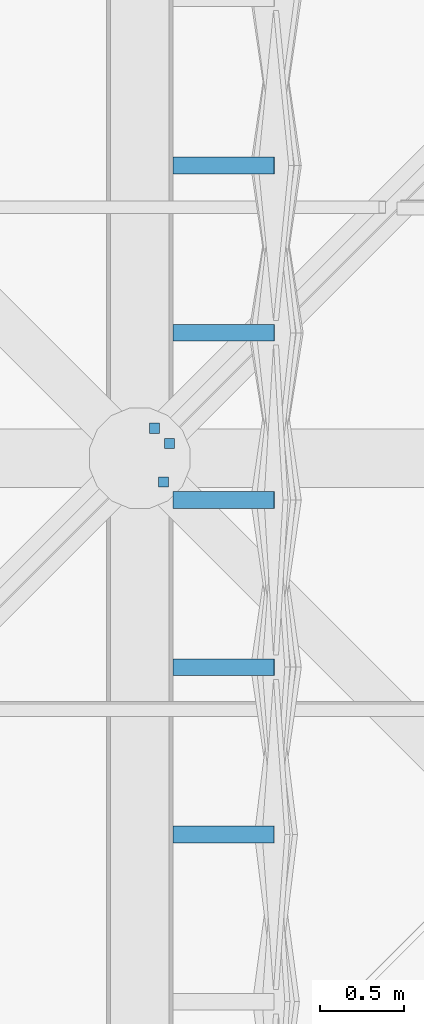
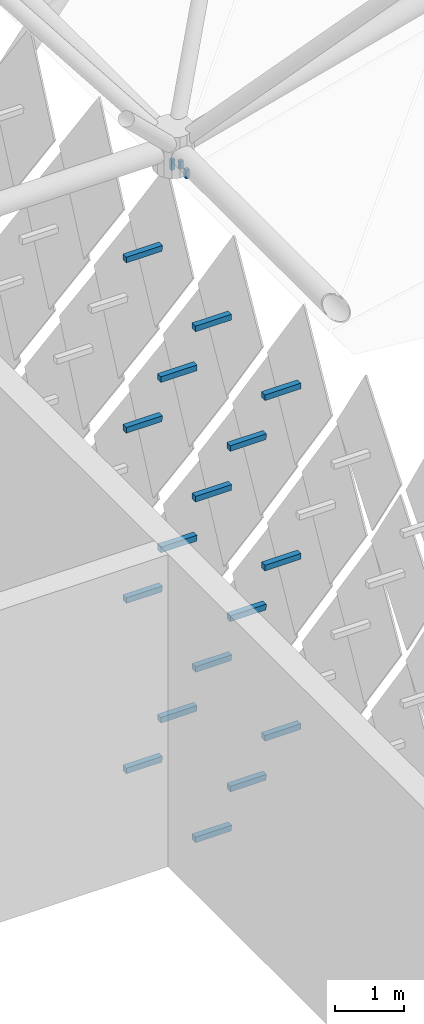
# One storey, part 378 of 437: 20 discrete accessories.
"""IFC4 building model written with IfcOpenShell, lengths in metres."""

from ifc_helpers import new_model, si_unit, direction, frame, origin, place, context, subcontext, project, spatial, polyline, outline, extrude, material, type_object, element, save


model = new_model("IFC4")

# Units and contexts
model_context = context("Model", 3, precision=1e-05, world=origin(), true_north=direction((0.0, 1.0)))
body_context = subcontext(model_context, "Body", "Model", "MODEL_VIEW")
ifc_project = project(units=[si_unit("LENGTHUNIT", "METRE"), si_unit("AREAUNIT", "SQUARE_METRE"), si_unit("VOLUMEUNIT", "CUBIC_METRE"), si_unit("PLANEANGLEUNIT", "RADIAN"), si_unit("MASSUNIT", "GRAM", prefix="KILO")], contexts=[model_context])

# Site, building, storey
site_placement = place(None, origin())
site = spatial("IfcSite", under=ifc_project, at=site_placement, CompositionType="ELEMENT")
building_placement = place(site_placement, origin())
building = spatial("IfcBuilding", under=site, at=building_placement, Name="Opaline Strait Convention Centre", CompositionType="ELEMENT")
storey_placement = place(building_placement, frame((0.0, 0.0, 11.5)))
storey = spatial("IfcBuildingStorey", under=building, at=storey_placement, Name="L02", CompositionType="ELEMENT", Elevation=11.5)

# Discrete accessories
ifc_material = material(Name="Steel Q355B", Category="steel")
discrete_accessory_type_1 = type_object("IfcDiscreteAccessoryType", Name="Soffit hanger 60x60 steel", PredefinedType="BRACKET", material=ifc_material)
discrete_accessory_1_placement = place(storey_placement, frame((0.0, 0.0, 11.98291015625)))
element("IfcDiscreteAccessory", 1, at=discrete_accessory_1_placement, inside=storey, type_object=discrete_accessory_type_1, Name="Soffit hanger", PredefinedType="BRACKET", context=body_context, shape_type="SweptSolid", body=[
    extrude(outline(polyline([(261.111328125, 134.82861328125), (261.17138671875, 134.82861328125), (261.17138671875, 134.888671875), (261.111328125, 134.888671875), (261.111328125, 134.82861328125)])), origin(), (0.0, 0.0, 1.0), 0.156982421875),
])
discrete_accessory_2_placement = place(storey_placement, frame((0.0, 0.0, 11.997802734375)))
element("IfcDiscreteAccessory", 2, at=discrete_accessory_2_placement, inside=storey, type_object=discrete_accessory_type_1, Name="Soffit hanger", PredefinedType="BRACKET", context=body_context, shape_type="SweptSolid", body=[
    extrude(outline(polyline([(261.14892578125, 135.059326171875), (261.208984375, 135.059326171875), (261.208984375, 135.119140625), (261.14892578125, 135.119140625), (261.14892578125, 135.059326171875)])), origin(), (0.0, 0.0, 1.0), 0.14208984375),
])
discrete_accessory_3_placement = place(storey_placement, frame((0.0, 0.0, 11.95849609375)))
element("IfcDiscreteAccessory", 3, at=discrete_accessory_3_placement, inside=storey, type_object=discrete_accessory_type_1, Name="Soffit hanger", PredefinedType="BRACKET", context=body_context, shape_type="SweptSolid", body=[
    extrude(outline(polyline([(261.059326171875, 135.14892578125), (261.119140625, 135.14892578125), (261.119140625, 135.208984375), (261.059326171875, 135.208984375), (261.059326171875, 135.14892578125)])), origin(), (0.0, 0.0, 1.0), 0.181396484375),
])
discrete_accessory_type_2 = type_object("IfcDiscreteAccessoryType", Name="Tile bracket 100x100 steel", PredefinedType="BRACKET", material=ifc_material)
discrete_accessory_4_placement = place(storey_placement, frame((261.199951171875, 134.699951171875, 0.39208984375), z_axis=(0.0, 1.0, 0.0), x_axis=(-1.0, 0.0, 0.0)))
element("IfcDiscreteAccessory", 4, at=discrete_accessory_4_placement, inside=storey, type_object=discrete_accessory_type_2, Name="Tile bracket XT12 E", PredefinedType="BRACKET", context=body_context, shape_type="SweptSolid", body=[
    extrude(outline(polyline([(0.0, -0.050048828125), (0.0, 0.050048828125), (-0.605224609375, 0.050048828125), (-0.5947265625, -0.050048828125), (0.0, -0.050048828125)])), origin(), (0.0, 0.0, 1.0), 0.10009765625),
])
discrete_accessory_5_placement = place(storey_placement, frame((261.199951171875, 136.699951171875, 0.39208984375), z_axis=(0.0, 1.0, 0.0), x_axis=(-1.0, 0.0, 0.0)))
element("IfcDiscreteAccessory", 5, at=discrete_accessory_5_placement, inside=storey, type_object=discrete_accessory_type_2, Name="Tile bracket XT10 E", PredefinedType="BRACKET", context=body_context, shape_type="SweptSolid", body=[
    extrude(outline(polyline([(0.0, -0.050048828125), (0.0, 0.050048828125), (-0.604248046875, 0.050048828125), (-0.595703125, -0.050048828125), (0.0, -0.050048828125)])), origin(), (0.0, 0.0, 1.0), 0.10009765625),
])
discrete_accessory_6_placement = place(storey_placement, frame((261.199951171875, 133.699951171875, 1.89208984375), z_axis=(0.0, 1.0, 0.0), x_axis=(-1.0, 0.0, 0.0)))
element("IfcDiscreteAccessory", 6, at=discrete_accessory_6_placement, inside=storey, type_object=discrete_accessory_type_2, Name="Tile bracket XT11 E", PredefinedType="BRACKET", context=body_context, shape_type="SweptSolid", body=[
    extrude(outline(polyline([(0.0, -0.050048828125), (0.0, 0.050048828125), (-0.604736328125, 0.050048828125), (-0.59521484375, -0.050048828125), (0.0, -0.050048828125)])), origin(), (0.0, 0.0, 1.0), 0.10009765625),
])
discrete_accessory_7_placement = place(storey_placement, frame((261.199951171875, 135.699951171875, 1.89208984375), z_axis=(0.0, 1.0, 0.0), x_axis=(-1.0, 0.0, 0.0)))
element("IfcDiscreteAccessory", 7, at=discrete_accessory_7_placement, inside=storey, type_object=discrete_accessory_type_2, Name="Tile bracket XT12 E", PredefinedType="BRACKET", context=body_context, shape_type="SweptSolid", body=[
    extrude(outline(polyline([(0.0, -0.050048828125), (0.0, 0.050048828125), (-0.605224609375, 0.050048828125), (-0.5947265625, -0.050048828125), (0.0, -0.050048828125)])), origin(), (0.0, 0.0, 1.0), 0.10009765625),
])
discrete_accessory_8_placement = place(storey_placement, frame((261.199951171875, 132.699951171875, 3.39208984375), z_axis=(0.0, 1.0, 0.0), x_axis=(-1.0, 0.0, 0.0)))
element("IfcDiscreteAccessory", 8, at=discrete_accessory_8_placement, inside=storey, type_object=discrete_accessory_type_2, Name="Tile bracket XT09 E", PredefinedType="BRACKET", context=body_context, shape_type="SweptSolid", body=[
    extrude(outline(polyline([(0.0, -0.050048828125), (0.0, 0.050048828125), (-0.60400390625, 0.050048828125), (-0.595947265625, -0.050048828125), (0.0, -0.050048828125)])), origin(), (0.0, 0.0, 1.0), 0.10009765625),
])
for number, where, z_axis, x_axis, name in (
    (9, (261.199951171875, 134.699951171875, 3.39208984375), (0.0, 1.0, 0.0), (-1.0, 0.0, 0.0), "Tile bracket XT11 E"),
    (10, (261.199951171875, 136.699951171875, 3.39208984375), (0.0, 1.0, 0.0), (-1.0, 0.0, 0.0), "Tile bracket XT11 E"),
):
    element("IfcDiscreteAccessory", number, at=place(storey_placement, frame(where, z_axis=z_axis, x_axis=x_axis)), inside=storey, type_object=discrete_accessory_type_2, Name=name, PredefinedType="BRACKET", context=body_context, shape_type="SweptSolid", body=[
        extrude(outline(polyline([(0.0, -0.050048828125), (0.0, 0.050048828125), (-0.604736328125, 0.050048828125), (-0.59521484375, -0.050048828125), (0.0, -0.050048828125)])), origin(), (0.0, 0.0, 1.0), 0.10009765625),
    ])
discrete_accessory_9_placement = place(storey_placement, frame((261.199951171875, 133.699951171875, 4.89208984375), z_axis=(0.0, 1.0, 0.0), x_axis=(-1.0, 0.0, 0.0)))
element("IfcDiscreteAccessory", 11, at=discrete_accessory_9_placement, inside=storey, type_object=discrete_accessory_type_2, Name="Tile bracket XT08 E", PredefinedType="BRACKET", context=body_context, shape_type="SweptSolid", body=[
    extrude(outline(polyline([(0.0, -0.050048828125), (0.0, 0.050048828125), (-0.603515625, 0.050048828125), (-0.596435546875, -0.050048828125), (0.0, -0.050048828125)])), origin(), (0.0, 0.0, 1.0), 0.10009765625),
])
discrete_accessory_10_placement = place(storey_placement, frame((261.199951171875, 135.699951171875, 4.89208984375), z_axis=(0.0, 1.0, 0.0), x_axis=(-1.0, 0.0, 0.0)))
element("IfcDiscreteAccessory", 12, at=discrete_accessory_10_placement, inside=storey, type_object=discrete_accessory_type_2, Name="Tile bracket XT11 E", PredefinedType="BRACKET", context=body_context, shape_type="SweptSolid", body=[
    extrude(outline(polyline([(0.0, -0.050048828125), (0.0, 0.050048828125), (-0.604736328125, 0.050048828125), (-0.59521484375, -0.050048828125), (0.0, -0.050048828125)])), origin(), (0.0, 0.0, 1.0), 0.10009765625),
])
discrete_accessory_11_placement = place(storey_placement, frame((261.199951171875, 132.699951171875, 6.39208984375), z_axis=(0.0, 1.0, 0.0), x_axis=(-1.0, 0.0, 0.0)))
element("IfcDiscreteAccessory", 13, at=discrete_accessory_11_placement, inside=storey, type_object=discrete_accessory_type_2, Name="Tile bracket XT05 E", PredefinedType="BRACKET", context=body_context, shape_type="SweptSolid", body=[
    extrude(outline(polyline([(0.0, -0.050048828125), (0.0, 0.050048828125), (-0.602294921875, 0.050048828125), (-0.597900390625, -0.050048828125), (0.0, -0.050048828125)])), origin(), (0.0, 0.0, 1.0), 0.10009765625),
])
discrete_accessory_12_placement = place(storey_placement, frame((261.199951171875, 134.699951171875, 6.39208984375), z_axis=(0.0, 1.0, 0.0), x_axis=(-1.0, 0.0, 0.0)))
element("IfcDiscreteAccessory", 14, at=discrete_accessory_12_placement, inside=storey, type_object=discrete_accessory_type_2, Name="Tile bracket XT08 E", PredefinedType="BRACKET", context=body_context, shape_type="SweptSolid", body=[
    extrude(outline(polyline([(0.0, -0.050048828125), (0.0, 0.050048828125), (-0.603515625, 0.050048828125), (-0.596435546875, -0.050048828125), (0.0, -0.050048828125)])), origin(), (0.0, 0.0, 1.0), 0.10009765625),
])
discrete_accessory_13_placement = place(storey_placement, frame((261.199951171875, 136.699951171875, 6.39208984375), z_axis=(0.0, 1.0, 0.0), x_axis=(-1.0, 0.0, 0.0)))
element("IfcDiscreteAccessory", 15, at=discrete_accessory_13_placement, inside=storey, type_object=discrete_accessory_type_2, Name="Tile bracket XT10 E", PredefinedType="BRACKET", context=body_context, shape_type="SweptSolid", body=[
    extrude(outline(polyline([(0.0, -0.050048828125), (0.0, 0.050048828125), (-0.604248046875, 0.050048828125), (-0.595703125, -0.050048828125), (0.0, -0.050048828125)])), origin(), (0.0, 0.0, 1.0), 0.10009765625),
])
discrete_accessory_14_placement = place(storey_placement, frame((261.199951171875, 133.699951171875, 7.89208984375), z_axis=(0.0, 1.0, 0.0), x_axis=(-1.0, 0.0, 0.0)))
element("IfcDiscreteAccessory", 16, at=discrete_accessory_14_placement, inside=storey, type_object=discrete_accessory_type_2, Name="Tile bracket XT05 E", PredefinedType="BRACKET", context=body_context, shape_type="SweptSolid", body=[
    extrude(outline(polyline([(0.0, -0.050048828125), (0.0, 0.050048828125), (-0.602294921875, 0.050048828125), (-0.597900390625, -0.050048828125), (0.0, -0.050048828125)])), origin(), (0.0, 0.0, 1.0), 0.10009765625),
])
discrete_accessory_15_placement = place(storey_placement, frame((261.199951171875, 135.699951171875, 7.89208984375), z_axis=(0.0, 1.0, 0.0), x_axis=(-1.0, 0.0, 0.0)))
element("IfcDiscreteAccessory", 17, at=discrete_accessory_15_placement, inside=storey, type_object=discrete_accessory_type_2, Name="Tile bracket XT08 E", PredefinedType="BRACKET", context=body_context, shape_type="SweptSolid", body=[
    extrude(outline(polyline([(0.0, -0.050048828125), (0.0, 0.050048828125), (-0.603515625, 0.050048828125), (-0.596435546875, -0.050048828125), (0.0, -0.050048828125)])), origin(), (0.0, 0.0, 1.0), 0.10009765625),
])
discrete_accessory_16_placement = place(storey_placement, frame((261.199951171875, 132.699951171875, 9.39208984375), z_axis=(0.0, 1.0, 0.0), x_axis=(-1.0, 0.0, 0.0)))
element("IfcDiscreteAccessory", 18, at=discrete_accessory_16_placement, inside=storey, type_object=discrete_accessory_type_2, Name="Tile bracket XT05 E", PredefinedType="BRACKET", context=body_context, shape_type="SweptSolid", body=[
    extrude(outline(polyline([(0.0, -0.050048828125), (0.0, 0.050048828125), (-0.602294921875, 0.050048828125), (-0.597900390625, -0.050048828125), (0.0, -0.050048828125)])), origin(), (0.0, 0.0, 1.0), 0.10009765625),
])
discrete_accessory_17_placement = place(storey_placement, frame((261.199951171875, 134.699951171875, 9.39208984375), z_axis=(0.0, 1.0, 0.0), x_axis=(-1.0, 0.0, 0.0)))
element("IfcDiscreteAccessory", 19, at=discrete_accessory_17_placement, inside=storey, type_object=discrete_accessory_type_2, Name="Tile bracket XT04 E", PredefinedType="BRACKET", context=body_context, shape_type="SweptSolid", body=[
    extrude(outline(polyline([(0.0, -0.050048828125), (0.0, 0.050048828125), (-0.601806640625, 0.050048828125), (-0.59814453125, -0.050048828125), (0.0, -0.050048828125)])), origin(), (0.0, 0.0, 1.0), 0.10009765625),
])
discrete_accessory_18_placement = place(storey_placement, frame((261.199951171875, 136.699951171875, 9.39208984375), z_axis=(0.0, 1.0, 0.0), x_axis=(-1.0, 0.0, 0.0)))
element("IfcDiscreteAccessory", 20, at=discrete_accessory_18_placement, inside=storey, type_object=discrete_accessory_type_2, Name="Tile bracket XT07 E", PredefinedType="BRACKET", context=body_context, shape_type="SweptSolid", body=[
    extrude(outline(polyline([(0.0, -0.050048828125), (0.0, 0.050048828125), (-0.60302734375, 0.050048828125), (-0.596923828125, -0.050048828125), (0.0, -0.050048828125)])), origin(), (0.0, 0.0, 1.0), 0.10009765625),
])

save(model, "model.ifc")
